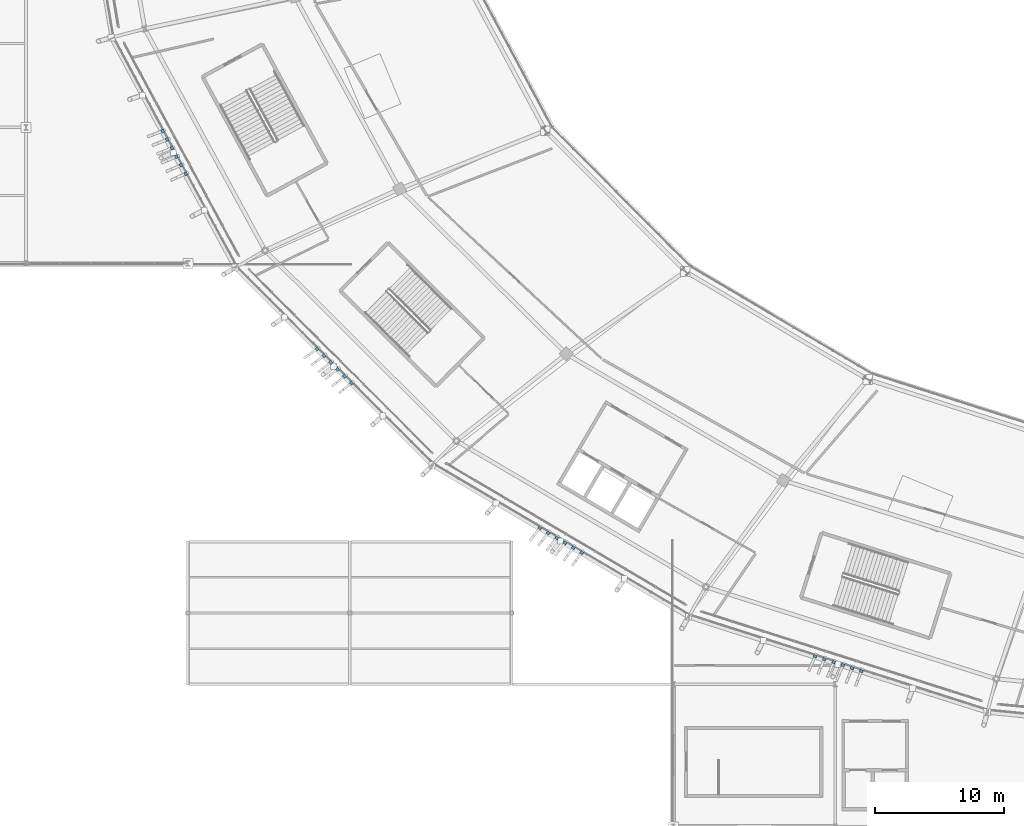
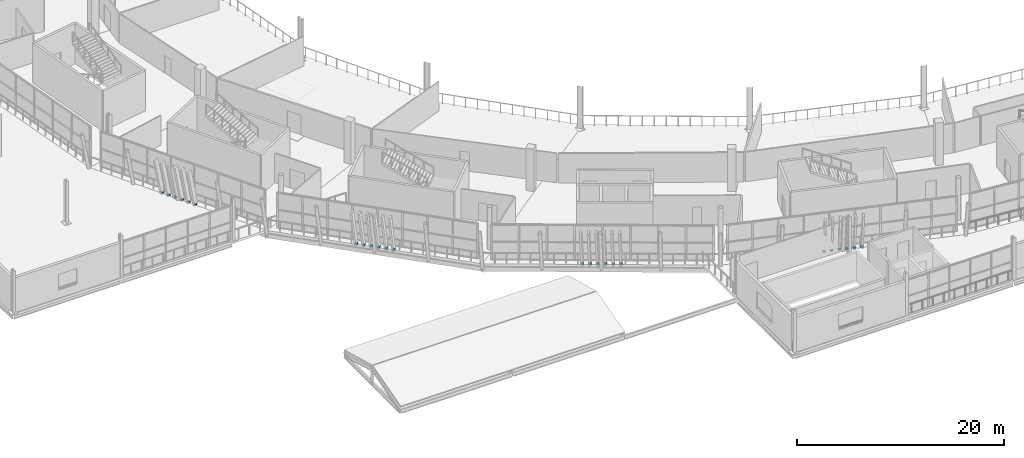
# One storey, part 139 of 179: 24 discrete accessories.
"""IFC4 building model written with IfcOpenShell, lengths in metres."""

import ifcopenshell
import ifcopenshell.guid

model = None  # the IFC model being written
_history = None  # IfcOwnerHistory: only IFC2X3 demands one
_inside = {}  # id of a spatial element -> (the spatial element, [elements in it])
_under = {}  # id of a project, library or spatial element -> (it, [spatial elements below it])
_declared = {}  # id of a project -> (the project, [libraries it declares])
_typed = {}  # id of a type object -> (the type object, [elements of that type])
_made_of = {}  # id of a material, layer set ... -> (it, [elements and type objects made of it])


def new_model(schema):
    """Start an empty IFC model of exactly this schema.

    Asked for "IFC4X3", IfcOpenShell would pick the latest addendum, in which some entities
    have other attributes; the version numbers below select the first issue.
    IFC2X3 requires an IfcOwnerHistory on every rooted entity: one is made here for all.
    """
    global model, _history
    if schema == "IFC4X3":
        model = ifcopenshell.file(schema_version=(4, 3, 0, 0))
    else:
        model = ifcopenshell.file(schema=schema)
    _inside.clear()
    _under.clear()
    _declared.clear()
    _typed.clear()
    _made_of.clear()
    _history = None
    if model.schema == "IFC2X3":
        org = make("IfcOrganization", Name="unknown")
        user = make(
            "IfcPersonAndOrganization",
            ThePerson=make("IfcPerson", FamilyName="unknown"),
            TheOrganization=org,
        )
        app = make(
            "IfcApplication",
            ApplicationDeveloper=org,
            Version="unknown",
            ApplicationFullName="unknown",
            ApplicationIdentifier="unknown",
        )
        _history = make(
            "IfcOwnerHistory",
            OwningUser=user,
            OwningApplication=app,
            ChangeAction="ADDED",
            CreationDate=0,
        )
    return model


def make(cls, **values):
    """One entity of the class cls with the attributes given. An attribute that is None is left unset."""
    return model.create_entity(
        cls, **{name: value for name, value in values.items() if value is not None}
    )


def rooted(cls, **values):
    """An entity with a GlobalId (a new one), such as an element, a storey or a relation."""
    return make(cls, GlobalId=ifcopenshell.guid.new(), OwnerHistory=_history, **values)


def si_unit(unit_type, name, prefix=None):
    """IfcSIUnit, for example si_unit("LENGTHUNIT", "METRE", prefix="MILLI")."""
    return make("IfcSIUnit", UnitType=unit_type, Prefix=prefix, Name=name)


def assignment(units):
    """IfcUnitAssignment: the units of a project."""
    return None if units is None else make("IfcUnitAssignment", Units=units)


def point(xyz):
    """IfcCartesianPoint."""
    return None if xyz is None else make("IfcCartesianPoint", Coordinates=xyz)


def direction(xyz):
    """IfcDirection."""
    return None if xyz is None else make("IfcDirection", DirectionRatios=xyz)


def frame(location, z_axis=None, x_axis=None):
    """IfcAxis2Placement3D, a coordinate frame: its origin and axes. An axis left out is left unset."""
    return make(
        "IfcAxis2Placement3D",
        Location=point(location),
        Axis=direction(z_axis),
        RefDirection=direction(x_axis),
    )


def frame_2d(location, x_axis=None):
    """IfcAxis2Placement2D, a coordinate frame in the plane: its origin and x axis."""
    return make(
        "IfcAxis2Placement2D", Location=point(location), RefDirection=direction(x_axis)
    )


def origin():
    """The frame at (0, 0, 0) with its axes left unset."""
    return frame((0.0, 0.0, 0.0))


def origin_2d():
    """The frame at (0, 0) in the plane with its x axis left unset."""
    return frame_2d((0.0, 0.0))


def place(relative_to, where):
    """IfcLocalPlacement: puts the frame where relative to a parent placement (None: the world)."""
    return make(
        "IfcLocalPlacement", PlacementRelTo=relative_to, RelativePlacement=where
    )


def context(
    kind, dimensions, precision=None, world=None, true_north=None, identifier=None
):
    """IfcGeometricRepresentationContext, for example the 3D "Model" context."""
    return make(
        "IfcGeometricRepresentationContext",
        ContextIdentifier=identifier,
        ContextType=kind,
        CoordinateSpaceDimension=dimensions,
        Precision=precision,
        WorldCoordinateSystem=world,
        TrueNorth=true_north,
    )


def subcontext(parent, identifier, kind, view, scale=None):
    """IfcGeometricRepresentationSubContext, for example "Body" below "Model"."""
    return make(
        "IfcGeometricRepresentationSubContext",
        ContextIdentifier=identifier,
        ContextType=kind,
        ParentContext=parent,
        TargetScale=scale,
        TargetView=view,
    )


def project(units=None, contexts=None):
    """IfcProject with its units and contexts."""
    return rooted(
        "IfcProject",
        Name="project",
        RepresentationContexts=contexts,
        UnitsInContext=assignment(units),
    )


def spatial(cls, under=None, at=None, **own):
    """A site, building, storey or space (cls), placed at a placement, below another one or the project."""
    s = rooted(cls, ObjectPlacement=at, **own)
    if under is not None:
        _under.setdefault(under.id(), (under, []))[1].append(s)
    return s


def profile(cls, at=None, kind="AREA", **sizes):
    """A parametric profile (cls). Its sizes go by their IFC names, for example OverallWidth=200.0."""
    return make(cls, ProfileType=kind, Position=at, **sizes)


def rectangle(**sizes):
    """IfcRectangleProfileDef."""
    return profile("IfcRectangleProfileDef", **sizes)


def extrude(swept, where, along, depth):
    """IfcExtrudedAreaSolid: the profile swept, set in the frame where, extruded along a direction by depth."""
    return make(
        "IfcExtrudedAreaSolid",
        SweptArea=swept,
        Position=where,
        ExtrudedDirection=direction(along),
        Depth=depth,
    )


def shape(context_of_items, identifier, shape_type, items):
    """IfcShapeRepresentation: the items that make up one representation, for example the "Body"."""
    return make(
        "IfcShapeRepresentation",
        ContextOfItems=context_of_items,
        RepresentationIdentifier=identifier,
        RepresentationType=shape_type,
        Items=items,
    )


def material(Name=None, Category=None):
    """IfcMaterial."""
    return make("IfcMaterial", Name=Name, Category=Category)


def made_of(thing, what):
    """Note that an element or type object is made of a material, layer set ...; save() writes the relation."""
    if what is not None:
        _made_of.setdefault(what.id(), (what, []))[1].append(thing)
    return thing


def type_object(cls, material=None, **own):
    """A type object (cls), such as IfcWallType, which elements share."""
    return made_of(rooted(cls, **own), material)


def element(
    cls,
    number,
    at=None,
    inside=None,
    cuts=None,
    type_object=None,
    material=None,
    context=None,
    identifier="Body",
    shape_type=None,
    held_by="IfcProductDefinitionShape",
    body=None,
    shapes=None,
    **own,
):
    """One element of the class cls, such as IfcWall. Its Tag is "e" and its number.

    at: its placement. inside: the storey or other place that contains it. cuts: it is an
    opening in that element (IfcRelVoidsElement). A single representation is given by context,
    identifier, shape_type and body (its items); several are given by shapes. held_by: the class
    of the entity that holds the representations. save() writes the other relations.
    """
    e = rooted(cls, Tag="e%d" % number, ObjectPlacement=at, **own)
    if body is not None:
        shapes = [shape(context, identifier, shape_type, body)]
    if shapes is not None:
        e.Representation = make(held_by, Representations=shapes)
    if inside is not None:
        _inside.setdefault(inside.id(), (inside, []))[1].append(e)
    if cuts is not None:
        rooted(
            "IfcRelVoidsElement", RelatingBuildingElement=cuts, RelatedOpeningElement=e
        )
    if type_object is not None:
        _typed.setdefault(type_object.id(), (type_object, []))[1].append(e)
    return made_of(e, material)


def aggregate(whole, parts):
    """IfcRelAggregates: a whole, such as a stair, and the parts it consists of."""
    return rooted("IfcRelAggregates", RelatingObject=whole, RelatedObjects=parts)


def save(model, path):
    """Write the relations noted so far, then the file.

    IfcRelAggregates (storeys below a building ...), IfcRelContainedInSpatialStructure (elements
    in a storey), IfcRelDefinesByType, IfcRelAssociatesMaterial and IfcRelDeclares: one each for
    every whole, place, type object, material and project.
    """
    for whole, parts in _under.values():
        aggregate(whole, parts)
    for where, things in _inside.values():
        rooted(
            "IfcRelContainedInSpatialStructure",
            RelatedElements=things,
            RelatingStructure=where,
        )
    for kind, things in _typed.values():
        rooted("IfcRelDefinesByType", RelatedObjects=things, RelatingType=kind)
    for what, things in _made_of.values():
        rooted("IfcRelAssociatesMaterial", RelatedObjects=things, RelatingMaterial=what)
    for by, libraries in _declared.values():
        rooted("IfcRelDeclares", RelatingContext=by, RelatedDefinitions=libraries)
    model.write(path)


model = new_model("IFC4")

# Units and contexts
model_context = context("Model", 3, precision=1e-05, world=origin(), true_north=direction((0.0, 1.0)))
body_context = subcontext(model_context, "Body", "Model", "MODEL_VIEW")
ifc_project = project(units=[si_unit("LENGTHUNIT", "METRE"), si_unit("AREAUNIT", "SQUARE_METRE"), si_unit("VOLUMEUNIT", "CUBIC_METRE"), si_unit("PLANEANGLEUNIT", "RADIAN"), si_unit("MASSUNIT", "GRAM", prefix="KILO")], contexts=[model_context])

# Site, building, storey
site_placement = place(None, origin())
site = spatial("IfcSite", under=ifc_project, at=site_placement, CompositionType="ELEMENT")
building_placement = place(site_placement, origin())
building = spatial("IfcBuilding", under=site, at=building_placement, Name="Zlatoyarsky Gate Stadium", CompositionType="ELEMENT")
storey_placement = place(building_placement, frame((0.0, 0.0, 10.60009765625)))
storey = spatial("IfcBuildingStorey", under=building, at=storey_placement, Name="L02", CompositionType="ELEMENT", Elevation=10.60009765625)

# Discrete accessories
ifc_material = material(Name="Steel S355", Category="steel")
discrete_accessory_type = type_object("IfcDiscreteAccessoryType", Name="STEEL LOUVRE ANCHOR BRACKET 260X220X160", PredefinedType="BRACKET", material=ifc_material)
for number, where, z_axis, x_axis, name in (
    (1, (22.548095703125, 53.728271484375, -0.02001953125), (0.0, 0.0, 1.0), (0.473806009145, -0.880629244176, 0.0), "Louvre anchor bracket L02-13-1"),
    (2, (22.903564453125, 53.06787109375, -0.02001953125), (0.0, 0.0, 1.0), (0.473806009145, -0.880629244176, 0.0), "Louvre anchor bracket L02-13-2"),
    (3, (23.2587890625, 52.4072265625, -0.02001953125), (0.0, 0.0, 1.0), (0.473806009145, -0.880629244176, 0.0), "Louvre anchor bracket L02-13-3"),
    (4, (23.6142578125, 51.746826171875, -0.02001953125), (0.0, 0.0, 1.0), (0.473806009145, -0.880629244176, 0.0), "Louvre anchor bracket L02-13-4"),
    (5, (23.969482421875, 51.086181640625, -0.02001953125), (0.0, 0.0, 1.0), (0.473806009145, -0.880629244176, 0.0), "Louvre anchor bracket L02-13-5"),
    (6, (24.324951171875, 50.42578125, -0.02001953125), (0.0, 0.0, 1.0), (0.473806009145, -0.880629244176, 0.0), "Louvre anchor bracket L02-13-6"),
    (7, (34.48388671875, 36.908935546875, -0.02001953125), (0.0, 0.0, 1.0), (0.705937153021, -0.708274477858, 0.0), "Louvre anchor bracket L02-14-1"),
    (8, (35.01318359375, 36.377685546875, -0.02001953125), (0.0, 0.0, 1.0), (0.705937153021, -0.708274477858, 0.0), "Louvre anchor bracket L02-14-2"),
    (9, (35.542724609375, 35.8466796875, -0.02001953125), (0.0, 0.0, 1.0), (0.705937153021, -0.708274477858, 0.0), "Louvre anchor bracket L02-14-3"),
    (10, (36.072265625, 35.315185546875, -0.02001953125), (0.0, 0.0, 1.0), (0.705937153021, -0.708274477858, 0.0), "Louvre anchor bracket L02-14-4"),
    (11, (36.601806640625, 34.7841796875, -0.02001953125), (0.0, 0.0, 1.0), (0.705937153021, -0.708274477858, 0.0), "Louvre anchor bracket L02-14-5"),
    (12, (37.131103515625, 34.2529296875, -0.02001953125), (0.0, 0.0, 1.0), (0.705937153021, -0.708274477858, 0.0), "Louvre anchor bracket L02-14-6"),
    (13, (51.6884765625, 23.065673828125, -0.02001953125), (0.0, 0.0, 1.0), (0.860991539647, -0.508619276725, 0.0), "Louvre anchor bracket L02-15-1"),
    (14, (52.333984375, 22.68408203125, -0.02001953125), (0.0, 0.0, 1.0), (0.860991539647, -0.508619276725, 0.0), "Louvre anchor bracket L02-15-2"),
    (15, (52.97998046875, 22.302734375, -0.02001953125), (0.0, 0.0, 1.0), (0.860991539647, -0.508619276725, 0.0), "Louvre anchor bracket L02-15-3"),
    (16, (53.62548828125, 21.921142578125, -0.02001953125), (0.0, 0.0, 1.0), (0.860991539647, -0.508619276725, 0.0), "Louvre anchor bracket L02-15-4"),
    (17, (54.271484375, 21.539794921875, -0.02001953125), (0.0, 0.0, 1.0), (0.860991539647, -0.508619276725, 0.0), "Louvre anchor bracket L02-15-5"),
    (18, (54.9169921875, 21.158203125, -0.02001953125), (0.0, 0.0, 1.0), (0.860991539647, -0.508619276725, 0.0), "Louvre anchor bracket L02-15-6"),
    (19, (72.943603515625, 13.15771484375, -0.02001953125), (0.0, 0.0, 1.0), (0.952730972703, -0.303815229459, 0.0), "Louvre anchor bracket L02-16-1"),
    (20, (73.658203125, 12.9296875, -0.02001953125), (0.0, 0.0, 1.0), (0.952730972703, -0.303815229459, 0.0), "Louvre anchor bracket L02-16-2"),
    (21, (74.372802734375, 12.701904296875, -0.02001953125), (0.0, 0.0, 1.0), (0.952730972703, -0.303815229459, 0.0), "Louvre anchor bracket L02-16-3"),
    (22, (75.08740234375, 12.47412109375, -0.02001953125), (0.0, 0.0, 1.0), (0.952730972703, -0.303815229459, 0.0), "Louvre anchor bracket L02-16-4"),
    (23, (75.8017578125, 12.24609375, -0.02001953125), (0.0, 0.0, 1.0), (0.952730972703, -0.303815229459, 0.0), "Louvre anchor bracket L02-16-5"),
    (24, (76.516357421875, 12.018310546875, -0.02001953125), (0.0, 0.0, 1.0), (0.952730972703, -0.303815229459, 0.0), "Louvre anchor bracket L02-16-6"),
):
    element("IfcDiscreteAccessory", number, at=place(storey_placement, frame(where, z_axis=z_axis, x_axis=x_axis)), inside=storey, type_object=discrete_accessory_type, Name=name, PredefinedType="BRACKET", context=body_context, shape_type="SweptSolid", body=[
        extrude(rectangle(XDim=0.260009765625, YDim=0.219970703125, at=origin_2d()), origin(), (0.0, 0.0, 1.0), 0.159912109375),
    ])

save(model, "model.ifc")
